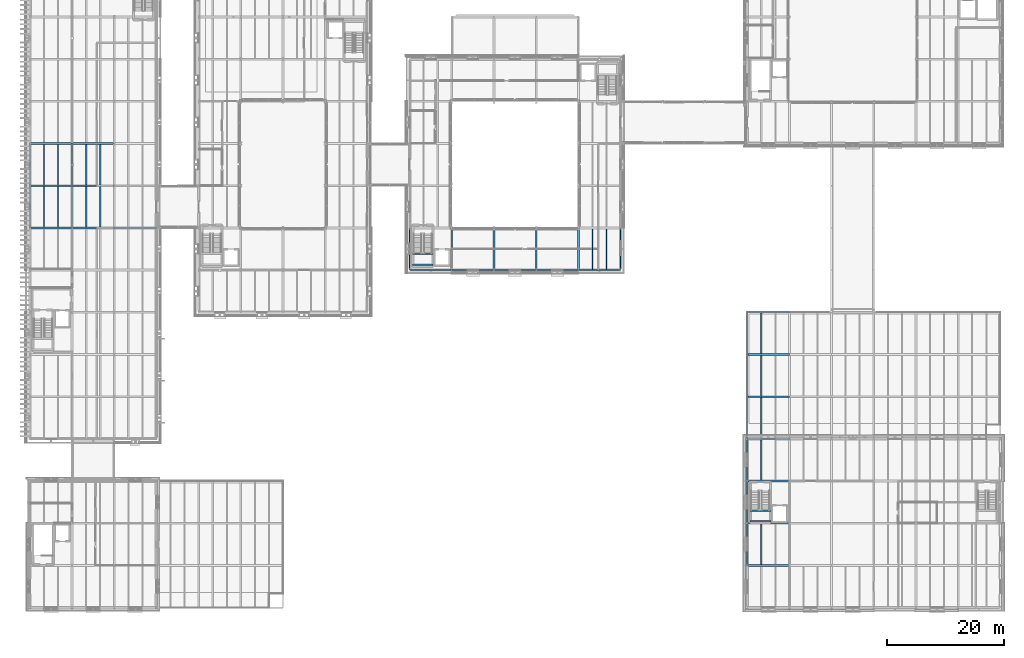
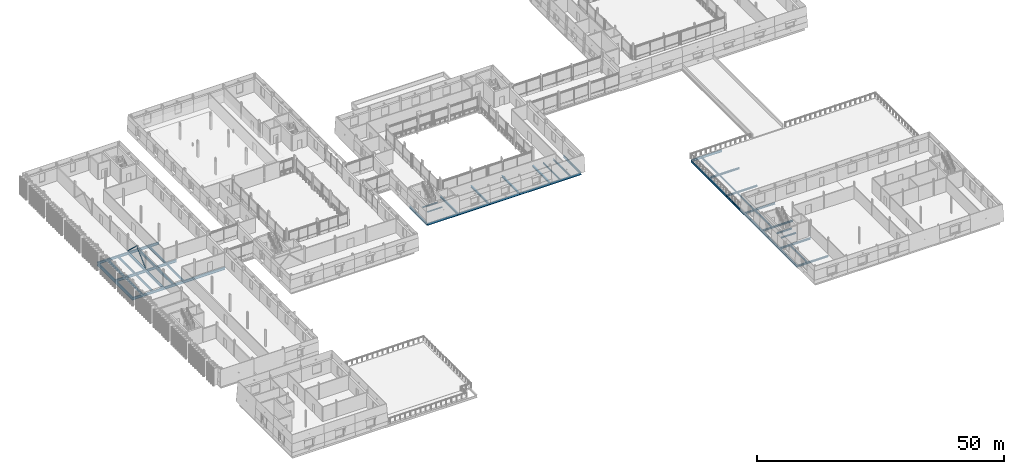
# One storey, part 20 of 115: 54 beams, 2 members.
"""IFC4 building model written with IfcOpenShell, lengths in metres."""

from ifc_helpers import new_model, si_unit, direction, frame, origin, origin_2d, place, context, subcontext, project, spatial, hollow_circle, i_section, extrude, material, material_profile, profile_set, type_object, element, save


model = new_model("IFC4")

# Units and contexts
model_context = context("Model", 3, precision=1e-05, world=origin(), true_north=direction((0.0, 1.0)))
body_context = subcontext(model_context, "Body", "Model", "MODEL_VIEW")
ifc_project = project(units=[si_unit("LENGTHUNIT", "METRE"), si_unit("AREAUNIT", "SQUARE_METRE"), si_unit("VOLUMEUNIT", "CUBIC_METRE"), si_unit("PLANEANGLEUNIT", "RADIAN"), si_unit("MASSUNIT", "GRAM", prefix="KILO")], contexts=[model_context])

# Site, building, storey
site_placement = place(None, origin())
site = spatial("IfcSite", under=ifc_project, at=site_placement, CompositionType="ELEMENT")
building_placement = place(site_placement, origin())
building = spatial("IfcBuilding", under=site, at=building_placement, Name="Narikvali Park Central Library", CompositionType="ELEMENT")
storey_placement = place(building_placement, frame((0.0, 0.0, 10.199951171875)))
storey = spatial("IfcBuildingStorey", under=building, at=storey_placement, Name="L02", CompositionType="ELEMENT", Elevation=10.199951171875)

# Beams
ifc_material = material(Name="Steel S355", Category="steel")
ifc_material_profile_1 = material_profile(ifc_material, i_section(OverallWidth=0.219970703125, OverallDepth=0.60009765625, WebThickness=0.011962890625, FlangeThickness=0.01904296875, FilletRadius=0.02392578125, at=origin_2d()), Name="IPE 600")
ifc_profile_set_1 = profile_set([ifc_material_profile_1], Name="Steel S355")
beam_type_1 = type_object("IfcBeamType", Name="Compact Archive Joist IPE600", PredefinedType="JOIST", material=ifc_profile_set_1)
for number, where, z_axis, x_axis, name in (
    (1, (2.39990234375, 64.949951171875, -0.599853515625), (0.0, 1.0, 0.0), (-1.0, 0.0, 0.0), "V5 L02 Composite Joist 1"),
    (2, (4.800048828125, 64.949951171875, -0.599853515625), (0.0, 1.0, 0.0), (-1.0, 0.0, 0.0), "V5 L02 Composite Joist 2"),
    (3, (2.39990234375, 72.14990234375, -0.599853515625), (0.0, 1.0, 0.0), (-1.0, 0.0, 0.0), "V5 L02 Composite Joist 1"),
    (4, (4.800048828125, 72.14990234375, -0.599853515625), (0.0, 1.0, 0.0), (-1.0, 0.0, 0.0), "V5 L02 Composite Joist 2"),
    (5, (9.60009765625, 64.949951171875, -0.599853515625), (0.0, 1.0, 0.0), (-1.0, 0.0, 0.0), "V5 L02 Composite Joist 1"),
    (6, (12.0, 64.949951171875, -0.599853515625), (0.0, 1.0, 0.0), (-1.0, 0.0, 0.0), "V5 L02 Composite Joist 2"),
    (7, (9.60009765625, 72.14990234375, -0.599853515625), (0.0, 1.0, 0.0), (-1.0, 0.0, 0.0), "V5 L02 Composite Joist 1"),
    (8, (12.0, 72.14990234375, -0.599853515625), (0.0, 1.0, 0.0), (-1.0, 0.0, 0.0), "V5 L02 Composite Joist 2"),
):
    element("IfcBeam", number, at=place(storey_placement, frame(where, z_axis=z_axis, x_axis=x_axis)), inside=storey, type_object=beam_type_1, Name=name, PredefinedType="JOIST", context=body_context, shape_type="SweptSolid", body=[
        extrude(i_section(OverallWidth=0.219970703125, OverallDepth=0.60009765625, WebThickness=0.011962890625, FlangeThickness=0.01904296875, FilletRadius=0.02392578125, at=origin_2d()), origin(), (0.0, 0.0, 1.0), 6.900146484375),
    ])
ifc_material_profile_2 = material_profile(ifc_material, i_section(OverallWidth=0.179931640625, OverallDepth=0.39990234375, WebThickness=0.008544921875, FlangeThickness=0.013427734375, FilletRadius=0.02099609375, at=origin_2d()), Name="IPE 400")
ifc_profile_set_2 = profile_set([ifc_material_profile_2], Name="Steel S355")
beam_type_2 = type_object("IfcBeamType", Name="Composite Floor Joist IPE400", PredefinedType="JOIST", material=ifc_profile_set_2)
for number, where, z_axis, x_axis, name in (
    (9, (124.800048828125, 7.35009765625, -0.47998046875), (0.0, 1.0, 0.0), (-1.0, 0.0, 0.0), "V6 L02 Composite Joist 1"),
    (10, (124.800048828125, 21.75, -0.47998046875), (0.0, 1.0, 0.0), (-1.0, 0.0, 0.0), "V6 L02 Composite Joist 1"),
):
    element("IfcBeam", number, at=place(storey_placement, frame(where, z_axis=z_axis, x_axis=x_axis)), inside=storey, type_object=beam_type_2, Name=name, PredefinedType="JOIST", context=body_context, shape_type="SweptSolid", body=[
        extrude(i_section(OverallWidth=0.179931640625, OverallDepth=0.39990234375, WebThickness=0.008544921875, FlangeThickness=0.013427734375, FilletRadius=0.02099609375, at=origin_2d()), origin(), (0.0, 0.0, 1.0), 6.89990234375),
    ])
for number, where, z_axis, x_axis, name in (
    (11, (124.800048828125, 28.949951171875, -0.5400390625), (0.0, 1.0, 0.0), (-1.0, 0.0, 0.0), "V6 L02 Composite Joist 1"),
    (12, (124.800048828125, 36.14990234375, -0.5400390625), (0.0, 1.0, 0.0), (-1.0, 0.0, 0.0), "V6 L02 Composite Joist 1"),
):
    element("IfcBeam", number, at=place(storey_placement, frame(where, z_axis=z_axis, x_axis=x_axis)), inside=storey, type_object=beam_type_2, Name=name, PredefinedType="JOIST", context=body_context, shape_type="SweptSolid", body=[
        extrude(i_section(OverallWidth=0.179931640625, OverallDepth=0.39990234375, WebThickness=0.008544921875, FlangeThickness=0.013427734375, FilletRadius=0.02099609375, at=origin_2d()), origin(), (0.0, 0.0, 1.0), 6.900146484375),
    ])
beam_1_placement = place(storey_placement, frame((124.800048828125, 43.35009765625, -0.5400390625), z_axis=(0.0, 1.0, 0.0), x_axis=(-1.0, 0.0, 0.0)))
element("IfcBeam", 13, at=beam_1_placement, inside=storey, type_object=beam_type_2, Name="V6 L02 Composite Joist 1", PredefinedType="JOIST", context=body_context, shape_type="SweptSolid", body=[
    extrude(i_section(OverallWidth=0.179931640625, OverallDepth=0.39990234375, WebThickness=0.008544921875, FlangeThickness=0.013427734375, FilletRadius=0.02099609375, at=origin_2d()), origin(), (0.0, 0.0, 1.0), 6.94482421875),
])
ifc_material_profile_3 = material_profile(ifc_material, i_section(OverallWidth=0.280029296875, OverallDepth=0.280029296875, WebThickness=0.010498046875, FlangeThickness=0.01806640625, FilletRadius=0.02392578125, at=origin_2d()), Name="HEB 280")
ifc_profile_set_3 = profile_set([ifc_material_profile_3], Name="Steel S355")
beam_type_3 = type_object("IfcBeamType", Name="Core Trimmer Girder HEB280", PredefinedType="BEAM", material=ifc_profile_set_3)
for number, where, z_axis, x_axis, name in (
    (14, (122.8701171875, 14.77001953125, 1.760009765625), (1.0, 0.0, 0.0), (0.0, 1.0, 0.0), "ST-11 L02 Landing Trimmer Beam 1-1"),
    (15, (122.8701171875, 16.544921875, 1.760009765625), (1.0, 0.0, 0.0), (0.0, 1.0, 0.0), "ST-11 L02 Landing Trimmer Beam 1-2"),
):
    element("IfcBeam", number, at=place(storey_placement, frame(where, z_axis=z_axis, x_axis=x_axis)), inside=storey, type_object=beam_type_3, Name=name, PredefinedType="BEAM", context=body_context, shape_type="SweptSolid", body=[
        extrude(i_section(OverallWidth=0.280029296875, OverallDepth=0.280029296875, WebThickness=0.010498046875, FlangeThickness=0.01806640625, FilletRadius=0.02392578125, at=origin_2d()), origin(), (0.0, 0.0, 1.0), 3.559814453125),
    ])
ifc_material_profile_4 = material_profile(ifc_material, i_section(OverallWidth=0.264892578125, OverallDepth=0.7529296875, WebThickness=0.01318359375, FlangeThickness=0.01708984375, FilletRadius=0.01708984375, at=origin_2d()), Name="IPE 750x147")
ifc_profile_set_4 = profile_set([ifc_material_profile_4], Name="Steel S355")
beam_type_4 = type_object("IfcBeamType", Name="Fin Facade Spandrel IPE750", PredefinedType="SPANDREL", material=ifc_profile_set_4)
for number, where, z_axis, x_axis, name in (
    (16, (0.0, 64.80810546875, -0.676513671875), (0.0, 1.0, 0.0), (-1.0, 0.0, 0.0), "V5 L02 Girder Y"),
    (17, (0.0, 72.008056640625, -0.676513671875), (0.0, 1.0, 0.0), (-1.0, 0.0, 0.0), "V5 L02 Girder Y"),
):
    element("IfcBeam", number, at=place(storey_placement, frame(where, z_axis=z_axis, x_axis=x_axis)), inside=storey, type_object=beam_type_4, Name=name, PredefinedType="SPANDREL", context=body_context, shape_type="SweptSolid", body=[
        extrude(i_section(OverallWidth=0.264892578125, OverallDepth=0.7529296875, WebThickness=0.01318359375, FlangeThickness=0.01708984375, FilletRadius=0.01708984375, at=origin_2d()), origin(), (0.0, 0.0, 1.0), 7.183837890625),
    ])
ifc_material_profile_5 = material_profile(ifc_material, i_section(OverallWidth=0.181884765625, OverallDepth=0.404052734375, WebThickness=0.009765625, FlangeThickness=0.015380859375, FilletRadius=0.02099609375, at=origin_2d()), Name="IPEO 400")
ifc_profile_set_5 = profile_set([ifc_material_profile_5], Name="Steel S355")
beam_type_5 = type_object("IfcBeamType", Name="Gallery Floor Joist IPEO400", PredefinedType="JOIST", material=ifc_profile_set_5)
for number, where, z_axis, x_axis, name in (
    (18, (96.0, 57.705078125, -0.48193359375), (0.0, 1.0, 0.0), (-1.0, 0.0, 0.0), "V1 L02 Composite Joist 1"),
    (19, (98.39990234375, 57.705078125, -0.48193359375), (0.0, 1.0, 0.0), (-1.0, 0.0, 0.0), "V1 L02 Composite Joist 2"),
):
    element("IfcBeam", number, at=place(storey_placement, frame(where, z_axis=z_axis, x_axis=x_axis)), inside=storey, type_object=beam_type_5, Name=name, PredefinedType="JOIST", context=body_context, shape_type="SweptSolid", body=[
        extrude(i_section(OverallWidth=0.181884765625, OverallDepth=0.404052734375, WebThickness=0.009765625, FlangeThickness=0.015380859375, FilletRadius=0.02099609375, at=origin_2d()), origin(), (0.0, 0.0, 1.0), 6.94482421875),
    ])
ifc_material_profile_6 = material_profile(ifc_material, i_section(OverallWidth=0.2099609375, OverallDepth=0.550048828125, WebThickness=0.010986328125, FlangeThickness=0.01708984375, FilletRadius=0.02392578125, at=origin_2d()), Name="IPE 550")
ifc_profile_set_6 = profile_set([ifc_material_profile_6], Name="Steel S355")
beam_type_6 = type_object("IfcBeamType", Name="Perimeter Spandrel IPE550", PredefinedType="SPANDREL", material=ifc_profile_set_6)
for number, where, z_axis, x_axis, name in (
    (20, (64.80810546875, 57.60009765625, -0.554931640625), (1.0, 0.0, 0.0), (0.0, 1.0, 0.0), "V1 L02 Girder X"),
    (21, (72.008056640625, 57.60009765625, -0.554931640625), (1.0, 0.0, 0.0), (0.0, 1.0, 0.0), "V1 L02 Girder X"),
):
    element("IfcBeam", number, at=place(storey_placement, frame(where, z_axis=z_axis, x_axis=x_axis)), inside=storey, type_object=beam_type_6, Name=name, PredefinedType="SPANDREL", context=body_context, shape_type="SweptSolid", body=[
        extrude(i_section(OverallWidth=0.2099609375, OverallDepth=0.550048828125, WebThickness=0.010986328125, FlangeThickness=0.01708984375, FilletRadius=0.02392578125, at=origin_2d()), origin(), (0.0, 0.0, 1.0), 7.183837890625),
    ])
for number, where, z_axis, x_axis, name in (
    (22, (79.2080078125, 57.60009765625, -0.554931640625), (1.0, 0.0, 0.0), (0.0, 1.0, 0.0), "V1 L02 Girder X"),
    (23, (86.407958984375, 57.60009765625, -0.554931640625), (1.0, 0.0, 0.0), (0.0, 1.0, 0.0), "V1 L02 Girder X"),
    (24, (93.60791015625, 57.60009765625, -0.554931640625), (1.0, 0.0, 0.0), (0.0, 1.0, 0.0), "V1 L02 Girder X"),
    (25, (64.800048828125, 57.60791015625, -0.554931640625), (0.0, 1.0, 0.0), (-1.0, 0.0, 0.0), "V1 L02 Girder Y"),
    (26, (100.800048828125, 57.60791015625, -0.554931640625), (0.0, 1.0, 0.0), (-1.0, 0.0, 0.0), "V1 L02 Girder Y"),
    (27, (122.407958984375, 50.39990234375, -0.614990234375), (1.0, 0.0, 0.0), (0.0, 1.0, 0.0), "V6 L02 Girder X"),
    (28, (122.39990234375, 7.2080078125, -0.554931640625), (0.0, 1.0, 0.0), (-1.0, 0.0, 0.0), "V6 L02 Girder Y"),
    (29, (122.39990234375, 14.407958984375, -0.554931640625), (0.0, 1.0, 0.0), (-1.0, 0.0, 0.0), "V6 L02 Girder Y"),
    (30, (122.39990234375, 21.60791015625, -0.554931640625), (0.0, 1.0, 0.0), (-1.0, 0.0, 0.0), "V6 L02 Girder Y"),
):
    element("IfcBeam", number, at=place(storey_placement, frame(where, z_axis=z_axis, x_axis=x_axis)), inside=storey, type_object=beam_type_6, Name=name, PredefinedType="SPANDREL", context=body_context, shape_type="SweptSolid", body=[
        extrude(i_section(OverallWidth=0.2099609375, OverallDepth=0.550048828125, WebThickness=0.010986328125, FlangeThickness=0.01708984375, FilletRadius=0.02392578125, at=origin_2d()), origin(), (0.0, 0.0, 1.0), 7.18408203125),
    ])
for number, where, z_axis, x_axis, name in (
    (31, (122.39990234375, 28.80810546875, -0.614990234375), (0.0, 1.0, 0.0), (-1.0, 0.0, 0.0), "V6 L02 Girder Y"),
    (32, (122.39990234375, 36.008056640625, -0.614990234375), (0.0, 1.0, 0.0), (-1.0, 0.0, 0.0), "V6 L02 Girder Y"),
):
    element("IfcBeam", number, at=place(storey_placement, frame(where, z_axis=z_axis, x_axis=x_axis)), inside=storey, type_object=beam_type_6, Name=name, PredefinedType="SPANDREL", context=body_context, shape_type="SweptSolid", body=[
        extrude(i_section(OverallWidth=0.2099609375, OverallDepth=0.550048828125, WebThickness=0.010986328125, FlangeThickness=0.01708984375, FilletRadius=0.02392578125, at=origin_2d()), origin(), (0.0, 0.0, 1.0), 7.183837890625),
    ])
beam_2_placement = place(storey_placement, frame((122.39990234375, 43.2080078125, -0.614990234375), z_axis=(0.0, 1.0, 0.0), x_axis=(-1.0, 0.0, 0.0)))
element("IfcBeam", 33, at=beam_2_placement, inside=storey, type_object=beam_type_6, Name="V6 L02 Girder Y", PredefinedType="SPANDREL", context=body_context, shape_type="SweptSolid", body=[
    extrude(i_section(OverallWidth=0.2099609375, OverallDepth=0.550048828125, WebThickness=0.010986328125, FlangeThickness=0.01708984375, FilletRadius=0.02392578125, at=origin_2d()), origin(), (0.0, 0.0, 1.0), 7.18408203125),
])
ifc_material_profile_7 = material_profile(ifc_material, i_section(OverallWidth=0.239990234375, OverallDepth=0.22998046875, WebThickness=0.007568359375, FlangeThickness=0.011962890625, FilletRadius=0.02099609375, at=origin_2d()), Name="HEA 240")
ifc_profile_set_7 = profile_set([ifc_material_profile_7], Name="Steel S355")
beam_type_7 = type_object("IfcBeamType", Name="Primary Girder HEA240", PredefinedType="BEAM", material=ifc_profile_set_7)
for number, where, z_axis, x_axis, name in (
    (34, (65.27001953125, 58.52001953125, 1.78515625), (1.0, 0.0, 0.0), (0.0, 1.0, 0.0), "ST-01 L02 Landing Trimmer Beam 1-1"),
    (35, (65.27001953125, 60.39501953125, 1.78515625), (1.0, 0.0, 0.0), (0.0, 1.0, 0.0), "ST-01 L02 Landing Trimmer Beam 1-2"),
):
    element("IfcBeam", number, at=place(storey_placement, frame(where, z_axis=z_axis, x_axis=x_axis)), inside=storey, type_object=beam_type_7, Name=name, PredefinedType="BEAM", context=body_context, shape_type="SweptSolid", body=[
        extrude(i_section(OverallWidth=0.239990234375, OverallDepth=0.22998046875, WebThickness=0.007568359375, FlangeThickness=0.011962890625, FilletRadius=0.02099609375, at=origin_2d()), origin(), (0.0, 0.0, 1.0), 3.56005859375),
    ])
ifc_material_profile_8 = material_profile(ifc_material, i_section(OverallWidth=0.300048828125, OverallDepth=0.389892578125, WebThickness=0.010986328125, FlangeThickness=0.01904296875, FilletRadius=0.027099609375, at=origin_2d()), Name="HEA 400")
ifc_profile_set_8 = profile_set([ifc_material_profile_8], Name="Steel S355")
beam_type_8 = type_object("IfcBeamType", Name="Primary Girder HEA400", PredefinedType="BEAM", material=ifc_profile_set_8)
for number, where, z_axis, x_axis, name in (
    (36, (122.407958984375, 7.199951171875, -0.474853515625), (1.0, 0.0, 0.0), (0.0, 1.0, 0.0), "V6 L02 Girder X"),
    (37, (122.407958984375, 14.39990234375, -0.474853515625), (1.0, 0.0, 0.0), (0.0, 1.0, 0.0), "V6 L02 Girder X"),
    (38, (122.407958984375, 21.60009765625, -0.474853515625), (1.0, 0.0, 0.0), (0.0, 1.0, 0.0), "V6 L02 Girder X"),
    (39, (122.407958984375, 28.800048828125, -0.534912109375), (1.0, 0.0, 0.0), (0.0, 1.0, 0.0), "V6 L02 Girder X"),
    (40, (122.407958984375, 36.0, -0.534912109375), (1.0, 0.0, 0.0), (0.0, 1.0, 0.0), "V6 L02 Girder X"),
    (41, (122.407958984375, 43.199951171875, -0.534912109375), (1.0, 0.0, 0.0), (0.0, 1.0, 0.0), "V6 L02 Girder X"),
):
    element("IfcBeam", number, at=place(storey_placement, frame(where, z_axis=z_axis, x_axis=x_axis)), inside=storey, type_object=beam_type_8, Name=name, PredefinedType="BEAM", context=body_context, shape_type="SweptSolid", body=[
        extrude(i_section(OverallWidth=0.300048828125, OverallDepth=0.389892578125, WebThickness=0.010986328125, FlangeThickness=0.01904296875, FilletRadius=0.027099609375, at=origin_2d()), origin(), (0.0, 0.0, 1.0), 7.18408203125),
    ])
ifc_material_profile_9 = material_profile(ifc_material, i_section(OverallWidth=0.300048828125, OverallDepth=0.43994140625, WebThickness=0.011474609375, FlangeThickness=0.02099609375, FilletRadius=0.027099609375, at=origin_2d()), Name="HEA 450")
ifc_profile_set_9 = profile_set([ifc_material_profile_9], Name="Steel S355")
beam_type_9 = type_object("IfcBeamType", Name="Primary Girder HEA450", PredefinedType="BEAM", material=ifc_profile_set_9)
for number, where, z_axis, x_axis, name in (
    (42, (72.0, 57.60791015625, -0.5), (0.0, 1.0, 0.0), (-1.0, 0.0, 0.0), "V1 L02 Girder Y"),
    (43, (79.199951171875, 57.60791015625, -0.5), (0.0, 1.0, 0.0), (-1.0, 0.0, 0.0), "V1 L02 Girder Y"),
    (44, (86.39990234375, 57.60791015625, -0.5), (0.0, 1.0, 0.0), (-1.0, 0.0, 0.0), "V1 L02 Girder Y"),
    (45, (93.60009765625, 57.60791015625, -0.5), (0.0, 1.0, 0.0), (-1.0, 0.0, 0.0), "V1 L02 Girder Y"),
):
    element("IfcBeam", number, at=place(storey_placement, frame(where, z_axis=z_axis, x_axis=x_axis)), inside=storey, type_object=beam_type_9, Name=name, PredefinedType="BEAM", context=body_context, shape_type="SweptSolid", body=[
        extrude(i_section(OverallWidth=0.300048828125, OverallDepth=0.43994140625, WebThickness=0.011474609375, FlangeThickness=0.02099609375, FilletRadius=0.027099609375, at=origin_2d()), origin(), (0.0, 0.0, 1.0), 7.18408203125),
    ])
ifc_material_profile_10 = material_profile(ifc_material, i_section(OverallWidth=0.300048828125, OverallDepth=0.5400390625, WebThickness=0.012451171875, FlangeThickness=0.02392578125, FilletRadius=0.027099609375, at=origin_2d()), Name="HEA 550")
ifc_profile_set_10 = profile_set([ifc_material_profile_10], Name="Steel S355")
beam_type_10 = type_object("IfcBeamType", Name="Primary Girder HEA550", PredefinedType="BEAM", material=ifc_profile_set_10)
for number, where, z_axis, x_axis, name in (
    (46, (7.199951171875, 64.80810546875, -0.570068359375), (0.0, 1.0, 0.0), (-1.0, 0.0, 0.0), "V5 L02 Girder Y"),
    (47, (7.199951171875, 72.008056640625, -0.570068359375), (0.0, 1.0, 0.0), (-1.0, 0.0, 0.0), "V5 L02 Girder Y"),
):
    element("IfcBeam", number, at=place(storey_placement, frame(where, z_axis=z_axis, x_axis=x_axis)), inside=storey, type_object=beam_type_10, Name=name, PredefinedType="BEAM", context=body_context, shape_type="SweptSolid", body=[
        extrude(i_section(OverallWidth=0.300048828125, OverallDepth=0.5400390625, WebThickness=0.012451171875, FlangeThickness=0.02392578125, FilletRadius=0.027099609375, at=origin_2d()), origin(), (0.0, 0.0, 1.0), 7.183837890625),
    ])
ifc_material_profile_11 = material_profile(ifc_material, i_section(OverallWidth=0.300048828125, OverallDepth=0.60009765625, WebThickness=0.015380859375, FlangeThickness=0.030029296875, FilletRadius=0.027099609375, at=origin_2d()), Name="HEB 600")
ifc_profile_set_11 = profile_set([ifc_material_profile_11], Name="Steel S355")
beam_type_11 = type_object("IfcBeamType", Name="Primary Stack Girder HEB600", PredefinedType="BEAM", material=ifc_profile_set_11)
beam_3_placement = place(storey_placement, frame((0.008056640625, 64.800048828125, -0.599853515625), z_axis=(1.0, 0.0, 0.0), x_axis=(0.0, 1.0, 0.0)))
element("IfcBeam", 48, at=beam_3_placement, inside=storey, type_object=beam_type_11, Name="V5 L02 Girder X", PredefinedType="BEAM", context=body_context, shape_type="SweptSolid", body=[
    extrude(i_section(OverallWidth=0.300048828125, OverallDepth=0.60009765625, WebThickness=0.015380859375, FlangeThickness=0.030029296875, FilletRadius=0.027099609375, at=origin_2d()), origin(), (0.0, 0.0, 1.0), 7.183837890625),
])
for number, where, z_axis, x_axis, name in (
    (49, (7.2080078125, 64.800048828125, -0.599853515625), (1.0, 0.0, 0.0), (0.0, 1.0, 0.0), "V5 L02 Girder X"),
    (50, (14.407958984375, 64.800048828125, -0.599853515625), (1.0, 0.0, 0.0), (0.0, 1.0, 0.0), "V5 L02 Girder X"),
):
    element("IfcBeam", number, at=place(storey_placement, frame(where, z_axis=z_axis, x_axis=x_axis)), inside=storey, type_object=beam_type_11, Name=name, PredefinedType="BEAM", context=body_context, shape_type="SweptSolid", body=[
        extrude(i_section(OverallWidth=0.300048828125, OverallDepth=0.60009765625, WebThickness=0.015380859375, FlangeThickness=0.030029296875, FilletRadius=0.027099609375, at=origin_2d()), origin(), (0.0, 0.0, 1.0), 7.18408203125),
    ])
beam_4_placement = place(storey_placement, frame((0.008056640625, 72.0, -0.599853515625), z_axis=(1.0, 0.0, 0.0), x_axis=(0.0, 1.0, 0.0)))
element("IfcBeam", 51, at=beam_4_placement, inside=storey, type_object=beam_type_11, Name="V5 L02 Girder X", PredefinedType="BEAM", context=body_context, shape_type="SweptSolid", body=[
    extrude(i_section(OverallWidth=0.300048828125, OverallDepth=0.60009765625, WebThickness=0.015380859375, FlangeThickness=0.030029296875, FilletRadius=0.027099609375, at=origin_2d()), origin(), (0.0, 0.0, 1.0), 7.183837890625),
])
beam_5_placement = place(storey_placement, frame((7.2080078125, 72.0, -0.599853515625), z_axis=(1.0, 0.0, 0.0), x_axis=(0.0, 1.0, 0.0)))
element("IfcBeam", 52, at=beam_5_placement, inside=storey, type_object=beam_type_11, Name="V5 L02 Girder X", PredefinedType="BEAM", context=body_context, shape_type="SweptSolid", body=[
    extrude(i_section(OverallWidth=0.300048828125, OverallDepth=0.60009765625, WebThickness=0.015380859375, FlangeThickness=0.030029296875, FilletRadius=0.027099609375, at=origin_2d()), origin(), (0.0, 0.0, 1.0), 7.18408203125),
])
beam_6_placement = place(storey_placement, frame((0.008056640625, 79.199951171875, -0.599853515625), z_axis=(1.0, 0.0, 0.0), x_axis=(0.0, 1.0, 0.0)))
element("IfcBeam", 53, at=beam_6_placement, inside=storey, type_object=beam_type_11, Name="V5 L02 Girder X", PredefinedType="BEAM", context=body_context, shape_type="SweptSolid", body=[
    extrude(i_section(OverallWidth=0.300048828125, OverallDepth=0.60009765625, WebThickness=0.015380859375, FlangeThickness=0.030029296875, FilletRadius=0.027099609375, at=origin_2d()), origin(), (0.0, 0.0, 1.0), 7.183837890625),
])
beam_7_placement = place(storey_placement, frame((7.2080078125, 79.199951171875, -0.599853515625), z_axis=(1.0, 0.0, 0.0), x_axis=(0.0, 1.0, 0.0)))
element("IfcBeam", 54, at=beam_7_placement, inside=storey, type_object=beam_type_11, Name="V5 L02 Girder X", PredefinedType="BEAM", context=body_context, shape_type="SweptSolid", body=[
    extrude(i_section(OverallWidth=0.300048828125, OverallDepth=0.60009765625, WebThickness=0.015380859375, FlangeThickness=0.030029296875, FilletRadius=0.027099609375, at=origin_2d()), origin(), (0.0, 0.0, 1.0), 7.18408203125),
])

# Members
ifc_material_profile_12 = material_profile(ifc_material, hollow_circle(Radius=0.136474609375, WallThickness=0.012451171875, at=origin_2d()), Name="CHS 273x12.5")
ifc_profile_set_12 = profile_set([ifc_material_profile_12], Name="Steel S355")
member_type = type_object("IfcMemberType", Name="Seismic Chevron Brace CHS273", PredefinedType="BRACE", material=ifc_profile_set_12)
member_1_placement = place(storey_placement, frame((7.199951171875, 72.014892578125, 0.01513671875), z_axis=(0.0, 0.729145336407, 0.684358881287), x_axis=(-1.0, 0.0, 0.0)))
element("IfcMember", 55, at=member_1_placement, inside=storey, type_object=member_type, Name="V5 L02 Seismic Chevron Brace A", PredefinedType="BRACE", context=body_context, shape_type="SweptSolid", body=[
    extrude(hollow_circle(Radius=0.136474609375, WallThickness=0.012451171875, at=origin_2d()), origin(), (0.0, 0.0, 1.0), 4.9169921875),
])
member_2_placement = place(storey_placement, frame((7.199951171875, 79.18505859375, 0.01513671875), z_axis=(0.0, -0.729122080593, 0.684383658186), x_axis=(1.0, 0.0, 0.0)))
element("IfcMember", 56, at=member_2_placement, inside=storey, type_object=member_type, Name="V5 L02 Seismic Chevron Brace B", PredefinedType="BRACE", context=body_context, shape_type="SweptSolid", body=[
    extrude(hollow_circle(Radius=0.136474609375, WallThickness=0.012451171875, at=origin_2d()), origin(), (0.0, 0.0, 1.0), 4.916748046875),
])

save(model, "model.ifc")
